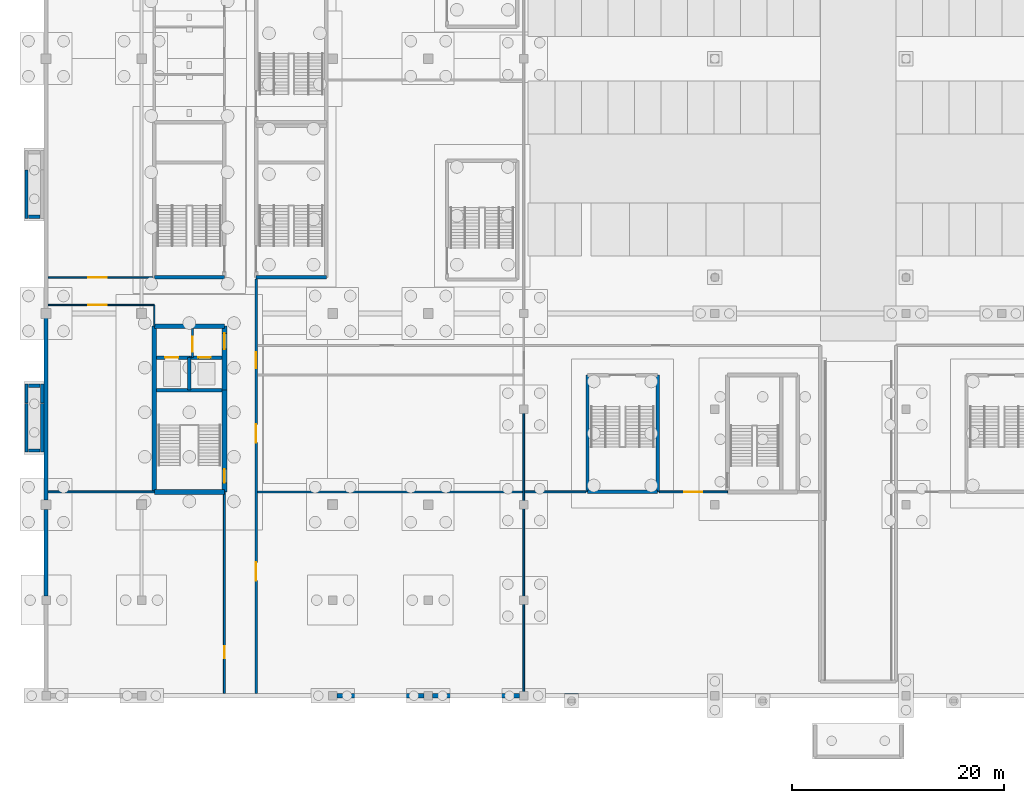
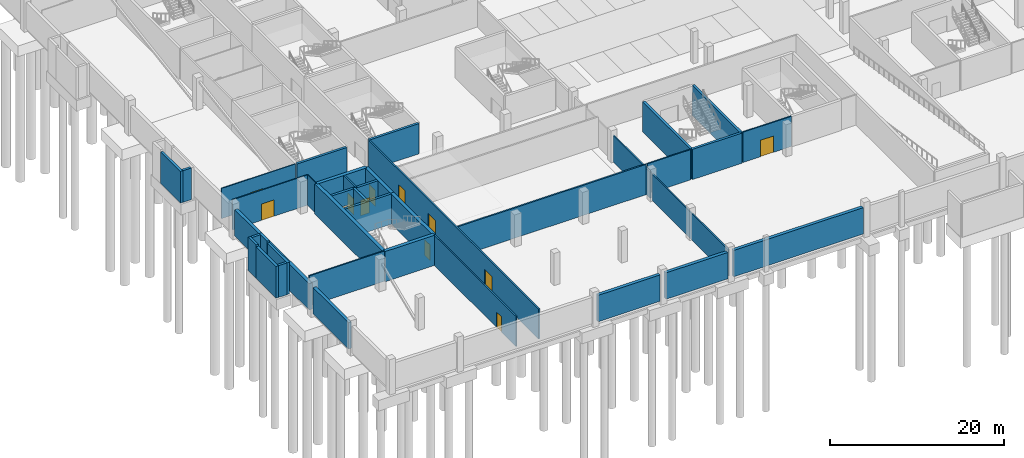
# One storey, part 14 of 46: 39 walls, 12 doors, 12 openings.
"""IFC4 building model written with IfcOpenShell, lengths in metres."""

import ifcopenshell
import ifcopenshell.guid

model = None  # the IFC model being written
_history = None  # IfcOwnerHistory: only IFC2X3 demands one
_inside = {}  # id of a spatial element -> (the spatial element, [elements in it])
_under = {}  # id of a project, library or spatial element -> (it, [spatial elements below it])
_declared = {}  # id of a project -> (the project, [libraries it declares])
_typed = {}  # id of a type object -> (the type object, [elements of that type])
_made_of = {}  # id of a material, layer set ... -> (it, [elements and type objects made of it])


def new_model(schema):
    """Start an empty IFC model of exactly this schema.

    Asked for "IFC4X3", IfcOpenShell would pick the latest addendum, in which some entities
    have other attributes; the version numbers below select the first issue.
    IFC2X3 requires an IfcOwnerHistory on every rooted entity: one is made here for all.
    """
    global model, _history
    if schema == "IFC4X3":
        model = ifcopenshell.file(schema_version=(4, 3, 0, 0))
    else:
        model = ifcopenshell.file(schema=schema)
    _inside.clear()
    _under.clear()
    _declared.clear()
    _typed.clear()
    _made_of.clear()
    _history = None
    if model.schema == "IFC2X3":
        org = make("IfcOrganization", Name="unknown")
        user = make(
            "IfcPersonAndOrganization",
            ThePerson=make("IfcPerson", FamilyName="unknown"),
            TheOrganization=org,
        )
        app = make(
            "IfcApplication",
            ApplicationDeveloper=org,
            Version="unknown",
            ApplicationFullName="unknown",
            ApplicationIdentifier="unknown",
        )
        _history = make(
            "IfcOwnerHistory",
            OwningUser=user,
            OwningApplication=app,
            ChangeAction="ADDED",
            CreationDate=0,
        )
    return model


def make(cls, **values):
    """One entity of the class cls with the attributes given. An attribute that is None is left unset."""
    return model.create_entity(
        cls, **{name: value for name, value in values.items() if value is not None}
    )


def rooted(cls, **values):
    """An entity with a GlobalId (a new one), such as an element, a storey or a relation."""
    return make(cls, GlobalId=ifcopenshell.guid.new(), OwnerHistory=_history, **values)


def si_unit(unit_type, name, prefix=None):
    """IfcSIUnit, for example si_unit("LENGTHUNIT", "METRE", prefix="MILLI")."""
    return make("IfcSIUnit", UnitType=unit_type, Prefix=prefix, Name=name)


def assignment(units):
    """IfcUnitAssignment: the units of a project."""
    return None if units is None else make("IfcUnitAssignment", Units=units)


def point(xyz):
    """IfcCartesianPoint."""
    return None if xyz is None else make("IfcCartesianPoint", Coordinates=xyz)


def direction(xyz):
    """IfcDirection."""
    return None if xyz is None else make("IfcDirection", DirectionRatios=xyz)


def frame(location, z_axis=None, x_axis=None):
    """IfcAxis2Placement3D, a coordinate frame: its origin and axes. An axis left out is left unset."""
    return make(
        "IfcAxis2Placement3D",
        Location=point(location),
        Axis=direction(z_axis),
        RefDirection=direction(x_axis),
    )


def frame_2d(location, x_axis=None):
    """IfcAxis2Placement2D, a coordinate frame in the plane: its origin and x axis."""
    return make(
        "IfcAxis2Placement2D", Location=point(location), RefDirection=direction(x_axis)
    )


def origin():
    """The frame at (0, 0, 0) with its axes left unset."""
    return frame((0.0, 0.0, 0.0))


def place(relative_to, where):
    """IfcLocalPlacement: puts the frame where relative to a parent placement (None: the world)."""
    return make(
        "IfcLocalPlacement", PlacementRelTo=relative_to, RelativePlacement=where
    )


def context(
    kind, dimensions, precision=None, world=None, true_north=None, identifier=None
):
    """IfcGeometricRepresentationContext, for example the 3D "Model" context."""
    return make(
        "IfcGeometricRepresentationContext",
        ContextIdentifier=identifier,
        ContextType=kind,
        CoordinateSpaceDimension=dimensions,
        Precision=precision,
        WorldCoordinateSystem=world,
        TrueNorth=true_north,
    )


def subcontext(parent, identifier, kind, view, scale=None):
    """IfcGeometricRepresentationSubContext, for example "Body" below "Model"."""
    return make(
        "IfcGeometricRepresentationSubContext",
        ContextIdentifier=identifier,
        ContextType=kind,
        ParentContext=parent,
        TargetScale=scale,
        TargetView=view,
    )


def project(units=None, contexts=None):
    """IfcProject with its units and contexts."""
    return rooted(
        "IfcProject",
        Name="project",
        RepresentationContexts=contexts,
        UnitsInContext=assignment(units),
    )


def spatial(cls, under=None, at=None, **own):
    """A site, building, storey or space (cls), placed at a placement, below another one or the project."""
    s = rooted(cls, ObjectPlacement=at, **own)
    if under is not None:
        _under.setdefault(under.id(), (under, []))[1].append(s)
    return s


def profile(cls, at=None, kind="AREA", **sizes):
    """A parametric profile (cls). Its sizes go by their IFC names, for example OverallWidth=200.0."""
    return make(cls, ProfileType=kind, Position=at, **sizes)


def rectangle(**sizes):
    """IfcRectangleProfileDef."""
    return profile("IfcRectangleProfileDef", **sizes)


def extrude(swept, where, along, depth):
    """IfcExtrudedAreaSolid: the profile swept, set in the frame where, extruded along a direction by depth."""
    return make(
        "IfcExtrudedAreaSolid",
        SweptArea=swept,
        Position=where,
        ExtrudedDirection=direction(along),
        Depth=depth,
    )


def shape(context_of_items, identifier, shape_type, items):
    """IfcShapeRepresentation: the items that make up one representation, for example the "Body"."""
    return make(
        "IfcShapeRepresentation",
        ContextOfItems=context_of_items,
        RepresentationIdentifier=identifier,
        RepresentationType=shape_type,
        Items=items,
    )


def material(Name=None, Category=None):
    """IfcMaterial."""
    return make("IfcMaterial", Name=Name, Category=Category)


def layer(
    of_material, thickness, ventilated=None, Name=None, Category=None, Priority=None
):
    """IfcMaterialLayer: one layer of a wall or slab, of a material (None: an air gap)."""
    return make(
        "IfcMaterialLayer",
        Material=of_material,
        LayerThickness=thickness,
        IsVentilated=ventilated,
        Name=Name,
        Category=Category,
        Priority=Priority,
    )


def layer_set(layers, Name=None):
    """IfcMaterialLayerSet."""
    return make("IfcMaterialLayerSet", MaterialLayers=layers, LayerSetName=Name)


def made_of(thing, what):
    """Note that an element or type object is made of a material, layer set ...; save() writes the relation."""
    if what is not None:
        _made_of.setdefault(what.id(), (what, []))[1].append(thing)
    return thing


def type_object(cls, material=None, **own):
    """A type object (cls), such as IfcWallType, which elements share."""
    return made_of(rooted(cls, **own), material)


def element(
    cls,
    number,
    at=None,
    inside=None,
    cuts=None,
    type_object=None,
    material=None,
    context=None,
    identifier="Body",
    shape_type=None,
    held_by="IfcProductDefinitionShape",
    body=None,
    shapes=None,
    **own,
):
    """One element of the class cls, such as IfcWall. Its Tag is "e" and its number.

    at: its placement. inside: the storey or other place that contains it. cuts: it is an
    opening in that element (IfcRelVoidsElement). A single representation is given by context,
    identifier, shape_type and body (its items); several are given by shapes. held_by: the class
    of the entity that holds the representations. save() writes the other relations.
    """
    e = rooted(cls, Tag="e%d" % number, ObjectPlacement=at, **own)
    if body is not None:
        shapes = [shape(context, identifier, shape_type, body)]
    if shapes is not None:
        e.Representation = make(held_by, Representations=shapes)
    if inside is not None:
        _inside.setdefault(inside.id(), (inside, []))[1].append(e)
    if cuts is not None:
        rooted(
            "IfcRelVoidsElement", RelatingBuildingElement=cuts, RelatedOpeningElement=e
        )
    if type_object is not None:
        _typed.setdefault(type_object.id(), (type_object, []))[1].append(e)
    return made_of(e, material)


def fill(opening, filler):
    """IfcRelFillsElement: the door or window that sits in an opening."""
    return rooted(
        "IfcRelFillsElement",
        RelatingOpeningElement=opening,
        RelatedBuildingElement=filler,
    )


def aggregate(whole, parts):
    """IfcRelAggregates: a whole, such as a stair, and the parts it consists of."""
    return rooted("IfcRelAggregates", RelatingObject=whole, RelatedObjects=parts)


def save(model, path):
    """Write the relations noted so far, then the file.

    IfcRelAggregates (storeys below a building ...), IfcRelContainedInSpatialStructure (elements
    in a storey), IfcRelDefinesByType, IfcRelAssociatesMaterial and IfcRelDeclares: one each for
    every whole, place, type object, material and project.
    """
    for whole, parts in _under.values():
        aggregate(whole, parts)
    for where, things in _inside.values():
        rooted(
            "IfcRelContainedInSpatialStructure",
            RelatedElements=things,
            RelatingStructure=where,
        )
    for kind, things in _typed.values():
        rooted("IfcRelDefinesByType", RelatedObjects=things, RelatingType=kind)
    for what, things in _made_of.values():
        rooted("IfcRelAssociatesMaterial", RelatedObjects=things, RelatingMaterial=what)
    for by, libraries in _declared.values():
        rooted("IfcRelDeclares", RelatingContext=by, RelatedDefinitions=libraries)
    model.write(path)


model = new_model("IFC4")

# Units and contexts
model_context = context("Model", 3, precision=1e-05, world=origin(), true_north=direction((0.0, 1.0)))
body_context = subcontext(model_context, "Body", "Model", "MODEL_VIEW")
ifc_project = project(units=[si_unit("LENGTHUNIT", "METRE"), si_unit("AREAUNIT", "SQUARE_METRE"), si_unit("VOLUMEUNIT", "CUBIC_METRE"), si_unit("PLANEANGLEUNIT", "RADIAN"), si_unit("MASSUNIT", "GRAM", prefix="KILO")], contexts=[model_context])

# Site, building, storey
site_placement = place(None, origin())
site = spatial("IfcSite", under=ifc_project, at=site_placement, CompositionType="ELEMENT")
building_placement = place(site_placement, origin())
building = spatial("IfcBuilding", under=site, at=building_placement, Name="Kisiwana Market Hall", CompositionType="ELEMENT")
storey_placement = place(building_placement, frame((0.0, 0.0, -4.5)))
storey = spatial("IfcBuildingStorey", under=building, at=storey_placement, Name="B1", CompositionType="ELEMENT", Elevation=-4.5)

# Walls
ifc_material_1 = material(Name="Concrete C40/50", Category="concrete")
ifc_layer_1 = layer(ifc_material_1, 0.360107421875, Name="Waterproofed RC retaining wall")
ifc_material_2 = material(Name="Mineral wool insulation")
ifc_layer_2 = layer(ifc_material_2, 0.06005859375, Name="XPS drainage protection board")
ifc_layer_set_1 = layer_set([ifc_layer_1, ifc_layer_2], Name="WL-B1-RET-420")
wall_type_1 = type_object("IfcWallType", Name="WL-B1-RET-420", PredefinedType="STANDARD", material=ifc_layer_set_1)
for number, where, z_axis, x_axis, name in (
    (1, (27.39208984375, 0.0, 0.0), (0.0, 0.0, 1.0), (1.0, 0.0, 0.0), "Exterior wall W-0157"),
    (2, (36.39208984375, 0.0, 0.0), (0.0, 0.0, 1.0), (1.0, 0.0, 0.0), "Exterior wall W-0158"),
):
    element("IfcWall", number, at=place(storey_placement, frame(where, z_axis=z_axis, x_axis=x_axis)), inside=storey, type_object=wall_type_1, Name=name, PredefinedType="STANDARD", context=body_context, shape_type="SweptSolid", body=[
        extrude(rectangle(XDim=8.2158203125, YDim=0.419921875, at=frame_2d((4.10791015625, 0.0))), origin(), (0.0, 0.0, 1.0), 3.699951171875),
    ])
wall_1_placement = place(storey_placement, frame((45.39208984375, 0.0, 0.0), z_axis=(0.0, 0.0, 1.0), x_axis=(1.0, 0.0, 0.0)))
element("IfcWall", 3, at=wall_1_placement, inside=storey, type_object=wall_type_1, Name="Exterior wall W-0159", PredefinedType="STANDARD", context=body_context, shape_type="SweptSolid", body=[
    extrude(rectangle(XDim=17.2158203125, YDim=0.419921875, at=frame_2d((8.60791015625, 0.0))), origin(), (0.0, 0.0, 1.0), 3.699951171875),
])
wall_2_placement = place(storey_placement, frame((0.0, 9.39208984375, 0.0), z_axis=(0.0, 0.0, 1.0), x_axis=(0.0, 1.0, 0.0)))
element("IfcWall", 4, at=wall_2_placement, inside=storey, type_object=wall_type_1, Name="Exterior wall W-0184", PredefinedType="STANDARD", context=body_context, shape_type="SweptSolid", body=[
    extrude(rectangle(XDim=8.166015625, YDim=0.419921875, at=frame_2d((4.0830078125, 0.0))), origin(), (0.0, 0.0, 1.0), 3.699951171875),
])
wall_3_placement = place(storey_placement, frame((0.0, 18.44189453125, 0.0), z_axis=(0.0, 0.0, 1.0), x_axis=(0.0, 1.0, 0.0)))
element("IfcWall", 5, at=wall_3_placement, inside=storey, type_object=wall_type_1, Name="Exterior wall W-0185", PredefinedType="STANDARD", context=body_context, shape_type="SweptSolid", body=[
    extrude(rectangle(XDim=17.1162109375, YDim=0.419921875, at=frame_2d((8.55810546875, 0.0))), origin(), (0.0, 0.0, 1.0), 3.699951171875),
])

# Wall, opening, door
ifc_material_3 = material(Name="Masonry blockwork", Category="masonry")
ifc_layer_3 = layer(ifc_material_3, 0.199951171875, Name="Plastered fire compartment block wall")
ifc_layer_set_2 = layer_set([ifc_layer_3], Name="WL-COMP-200")
wall_type_2 = type_object("IfcWallType", Name="WL-COMP-200", PredefinedType="PARTITIONING", material=ifc_layer_set_2)
wall_4_placement = place(storey_placement, frame((13.800048828125, 31.844970703125, 0.0), z_axis=(0.0, 0.0, 1.0), x_axis=(0.0, 1.0, 0.0)))
wall_4 = element("IfcWall", 6, at=wall_4_placement, inside=storey, type_object=wall_type_2, Name="Core W2 firefighting lobby wall W-0201", PredefinedType="PARTITIONING", context=body_context, shape_type="SweptSolid", body=[
    extrude(rectangle(XDim=2.72998046875, YDim=0.199951171875, at=frame_2d((1.364990234375, 0.0))), origin(), (0.0, 0.0, 1.0), 4.239990234375),
])
opening_1_placement = place(wall_4_placement, frame((0.550048828125, 0.0, 0.0)))
opening_1 = element("IfcOpeningElement", 7, at=opening_1_placement, cuts=wall_4, Name="Opening DR-B1-003", PredefinedType="OPENING", context=body_context, shape_type="SweptSolid", body=[
    extrude(rectangle(XDim=1.39990234375, YDim=2.25, at=frame_2d((0.699951171875, 1.125))), frame((0.0, 0.11181640625, 0.0), z_axis=(0.0, -1.0, 0.0), x_axis=(1.0, 0.0, 0.0)), (0.0, 0.0, 1.0), 0.223876953125),
])
ifc_material_4 = material(Name="Steel S275", Category="steel")
door_type_1 = type_object("IfcDoorType", Name="DR-FFLOB-FD120-1400", OperationType="DOUBLE_DOOR_SINGLE_SWING", PredefinedType="DOOR", material=ifc_material_4)
door_1_placement = place(opening_1_placement, frame((1.39990234375, 0.0, 0.0), z_axis=(0.0, 0.0, 1.0), x_axis=(-1.0, 0.0, 0.0)))
door_1 = element("IfcDoor", 8, at=door_1_placement, inside=storey, type_object=door_type_1, Name="Firefighting Lift Lobby W2 Door (B1)", OperationType="DOUBLE_DOOR_SINGLE_SWING", OverallHeight=2.25, OverallWidth=1.39990234375, PredefinedType="DOOR", context=body_context, shape_type="SweptSolid", body=[
    extrude(rectangle(XDim=1.39990234375, YDim=2.25, at=frame_2d((0.699951171875, 1.125))), frame((0.0, 0.02490234375, 0.0), z_axis=(0.0, -1.0, 0.0), x_axis=(1.0, 0.0, 0.0)), (0.0, 0.0, 1.0), 0.050048828125),
])
fill(opening_1, door_1)

# Wall
wall_5_placement = place(storey_placement, frame((19.89990234375, 19.199951171875, 0.0), z_axis=(0.0, 0.0, 1.0), x_axis=(1.0, 0.0, 0.0)))
element("IfcWall", 9, at=wall_5_placement, inside=storey, type_object=wall_type_2, Name="Interior partition W-0219", PredefinedType="PARTITIONING", context=body_context, shape_type="SweptSolid", body=[
    extrude(rectangle(XDim=25.01513671875, YDim=0.199951171875, at=frame_2d((12.507568359375, 0.0))), origin(), (0.0, 0.0, 1.0), 4.239990234375),
])

# Wall, openings, doors
wall_6_placement = place(storey_placement, frame((19.800048828125, 0.2099609375, 0.0), z_axis=(0.0, 0.0, 1.0), x_axis=(0.0, 1.0, 0.0)))
wall_6 = element("IfcWall", 10, at=wall_6_placement, inside=storey, type_object=wall_type_2, Name="Interior partition W-0226", PredefinedType="PARTITIONING", context=body_context, shape_type="SweptSolid", body=[
    extrude(rectangle(XDim=39.030029296875, YDim=0.199951171875, at=frame_2d((19.51513671875, 0.0))), origin(), (0.0, 0.0, 1.0), 4.239990234375),
])
opening_2_placement = place(wall_6_placement, frame((10.639892578125, 0.0, 0.0)))
opening_2 = element("IfcOpeningElement", 11, at=opening_2_placement, cuts=wall_6, Name="Opening DR-B1-050", PredefinedType="OPENING", context=body_context, shape_type="SweptSolid", body=[
    extrude(rectangle(XDim=1.699951171875, YDim=2.300048828125, at=frame_2d((0.85009765625, 1.14990234375))), frame((0.0, 0.11181640625, 0.0), z_axis=(0.0, -1.0, 0.0), x_axis=(1.0, 0.0, 0.0)), (0.0, 0.0, 1.0), 0.223876953125),
])
opening_3_placement = place(wall_6_placement, frame((23.639892578125, 0.0, 0.0)))
opening_3 = element("IfcOpeningElement", 12, at=opening_3_placement, cuts=wall_6, Name="Opening DR-B1-051", PredefinedType="OPENING", context=body_context, shape_type="SweptSolid", body=[
    extrude(rectangle(XDim=1.699951171875, YDim=2.300048828125, at=frame_2d((0.85009765625, 1.14990234375))), frame((0.0, 0.11181640625, 0.0), z_axis=(0.0, -1.0, 0.0), x_axis=(1.0, 0.0, 0.0)), (0.0, 0.0, 1.0), 0.223876953125),
])
opening_4_placement = place(wall_6_placement, frame((30.639892578125, 0.0, 0.0)))
opening_4 = element("IfcOpeningElement", 13, at=opening_4_placement, cuts=wall_6, Name="Opening DR-B1-052", PredefinedType="OPENING", context=body_context, shape_type="SweptSolid", body=[
    extrude(rectangle(XDim=1.5, YDim=2.199951171875, at=frame_2d((0.75, 1.10009765625))), frame((0.0, 0.11181640625, 0.0), z_axis=(0.0, -1.0, 0.0), x_axis=(1.0, 0.0, 0.0)), (0.0, 0.0, 1.0), 0.223876953125),
])
ifc_material_5 = material(Name="Steel S275", Category="steel")
door_type_2 = type_object("IfcDoorType", Name="DR-CORR-FD60-1500", OperationType="DOUBLE_DOOR_SINGLE_SWING", PredefinedType="DOOR", material=ifc_material_5)
door_2_placement = place(opening_4_placement, origin())
door_2 = element("IfcDoor", 14, at=door_2_placement, inside=storey, type_object=door_type_2, Name="B1 W South Concourse Link Corridor Door", OperationType="DOUBLE_DOOR_SINGLE_SWING", OverallHeight=2.199951171875, OverallWidth=1.5, PredefinedType="DOOR", context=body_context, shape_type="SweptSolid", body=[
    extrude(rectangle(XDim=1.5, YDim=2.199951171875, at=frame_2d((0.75, 1.10009765625))), frame((0.0, 0.02490234375, 0.0), z_axis=(0.0, -1.0, 0.0), x_axis=(1.0, 0.0, 0.0)), (0.0, 0.0, 1.0), 0.050048828125),
])
fill(opening_4, door_2)
ifc_material_6 = material(Name="Aluminium alloy 6063-T6", Category="aluminium")
door_type_3 = type_object("IfcDoorType", Name="DR-SHOP-1700", OperationType="DOUBLE_DOOR_SINGLE_SWING", PredefinedType="DOOR", material=ifc_material_6)
door_3_placement = place(opening_2_placement, frame((1.699951171875, 0.0, 0.0), z_axis=(0.0, 0.0, 1.0), x_axis=(-1.0, 0.0, 0.0)))
door_3 = element("IfcDoor", 15, at=door_3_placement, inside=storey, type_object=door_type_3, Name="B1 W Lower Ground Shop A Door", OperationType="DOUBLE_DOOR_SINGLE_SWING", OverallHeight=2.300048828125, OverallWidth=1.699951171875, PredefinedType="DOOR", context=body_context, shape_type="SweptSolid", body=[
    extrude(rectangle(XDim=1.699951171875, YDim=2.300048828125, at=frame_2d((0.85009765625, 1.14990234375))), frame((0.0, 0.02490234375, 0.0), z_axis=(0.0, -1.0, 0.0), x_axis=(1.0, 0.0, 0.0)), (0.0, 0.0, 1.0), 0.050048828125),
])
fill(opening_2, door_3)
door_4_placement = place(opening_3_placement, frame((1.699951171875, 0.0, 0.0), z_axis=(0.0, 0.0, 1.0), x_axis=(-1.0, 0.0, 0.0)))
door_4 = element("IfcDoor", 16, at=door_4_placement, inside=storey, type_object=door_type_3, Name="B1 W Lower Ground Shop B Door", OperationType="DOUBLE_DOOR_SINGLE_SWING", OverallHeight=2.300048828125, OverallWidth=1.699951171875, PredefinedType="DOOR", context=body_context, shape_type="SweptSolid", body=[
    extrude(rectangle(XDim=1.699951171875, YDim=2.300048828125, at=frame_2d((0.85009765625, 1.14990234375))), frame((0.0, 0.02490234375, 0.0), z_axis=(0.0, -1.0, 0.0), x_axis=(1.0, 0.0, 0.0)), (0.0, 0.0, 1.0), 0.050048828125),
])
fill(opening_3, door_4)

# Walls
ifc_material_7 = material(Name="Concrete C40/50", Category="concrete")
ifc_layer_4 = layer(ifc_material_7, 0.320068359375, Name="Reinforced concrete shaft wall")
ifc_layer_set_3 = layer_set([ifc_layer_4], Name="WL-CORE-320")
wall_type_3 = type_object("IfcWallType", Name="WL-CORE-320", PredefinedType="SHEAR", material=ifc_layer_set_3)
for number, where, z_axis, x_axis, name in (
    (17, (-1.840087890625, 22.949951171875, -0.449951171875), (0.0, 0.0, 1.0), (0.0, 1.0, 0.0), "Ramp support plinth wall 01-L W-0296"),
    (18, (-0.360107421875, 22.949951171875, -0.449951171875), (0.0, 0.0, 1.0), (0.0, 1.0, 0.0), "Ramp support plinth wall 01-R W-0298"),
):
    element("IfcWall", number, at=place(storey_placement, frame(where, z_axis=z_axis, x_axis=x_axis)), inside=storey, type_object=wall_type_3, Name=name, PredefinedType="SHEAR", context=body_context, shape_type="SweptSolid", body=[
        extrude(rectangle(XDim=4.550048828125, YDim=0.320068359375, at=frame_2d((2.27490234375, 0.0))), origin(), (0.0, 0.0, 1.0), 4.449951171875),
    ])
for number, where, z_axis, x_axis, name in (
    (19, (-1.840087890625, 27.550048828125, -0.449951171875), (0.0, 0.0, 1.0), (0.0, 1.0, 0.0), "Ramp support plinth wall 01-UL W-0300"),
    (20, (-0.360107421875, 27.550048828125, -0.449951171875), (0.0, 0.0, 1.0), (0.0, 1.0, 0.0), "Ramp support plinth wall 01-UR W-0301"),
):
    element("IfcWall", number, at=place(storey_placement, frame(where, z_axis=z_axis, x_axis=x_axis)), inside=storey, type_object=wall_type_3, Name=name, PredefinedType="SHEAR", context=body_context, shape_type="SweptSolid", body=[
        extrude(rectangle(XDim=1.800048828125, YDim=0.320068359375, at=frame_2d((0.89990234375, 0.0))), origin(), (0.0, 0.0, 1.0), 4.699951171875),
    ])
wall_7_placement = place(storey_placement, frame((-1.64990234375, 29.199951171875, -0.449951171875), z_axis=(0.0, 0.0, 1.0), x_axis=(1.0, 0.0, 0.0)))
element("IfcWall", 21, at=wall_7_placement, inside=storey, type_object=wall_type_3, Name="Ramp support plinth wall 01-UC W-0299", PredefinedType="SHEAR", context=body_context, shape_type="SweptSolid", body=[
    extrude(rectangle(XDim=1.099853515625, YDim=0.320068359375, at=frame_2d((0.5498046875, 0.0))), origin(), (0.0, 0.0, 1.0), 4.699951171875),
])
wall_8_placement = place(storey_placement, frame((-1.64990234375, 23.10009765625, -0.449951171875), z_axis=(0.0, 0.0, 1.0), x_axis=(1.0, 0.0, 0.0)))
element("IfcWall", 22, at=wall_8_placement, inside=storey, type_object=wall_type_3, Name="Ramp support plinth wall 01-LC W-0297", PredefinedType="SHEAR", context=body_context, shape_type="SweptSolid", body=[
    extrude(rectangle(XDim=1.099853515625, YDim=0.320068359375, at=frame_2d((0.5498046875, 0.0))), origin(), (0.0, 0.0, 1.0), 4.449951171875),
])
wall_9_placement = place(storey_placement, frame((-1.840087890625, 44.949951171875, -0.449951171875), z_axis=(0.0, 0.0, 1.0), x_axis=(0.0, 1.0, 0.0)))
element("IfcWall", 23, at=wall_9_placement, inside=storey, type_object=wall_type_3, Name="Ramp support plinth wall 02-L W-0302", PredefinedType="SHEAR", context=body_context, shape_type="SweptSolid", body=[
    extrude(rectangle(XDim=4.550048828125, YDim=0.320068359375, at=frame_2d((2.27490234375, 0.0))), origin(), (0.0, 0.0, 1.0), 4.449951171875),
])
wall_10_placement = place(storey_placement, frame((-1.64990234375, 45.10009765625, -0.449951171875), z_axis=(0.0, 0.0, 1.0), x_axis=(1.0, 0.0, 0.0)))
element("IfcWall", 24, at=wall_10_placement, inside=storey, type_object=wall_type_3, Name="Ramp support plinth wall 02-LC W-0303", PredefinedType="SHEAR", context=body_context, shape_type="SweptSolid", body=[
    extrude(rectangle(XDim=1.099853515625, YDim=0.320068359375, at=frame_2d((0.5498046875, 0.0))), origin(), (0.0, 0.0, 1.0), 4.449951171875),
])
wall_11_placement = place(storey_placement, frame((10.425048828125, 28.784912109375, 0.0), z_axis=(0.0, 0.0, 1.0), x_axis=(1.0, 0.0, 0.0)))
element("IfcWall", 25, at=wall_11_placement, inside=storey, type_object=wall_type_3, Name="Core W2 shaft back shear wall W-0006", PredefinedType="SHEAR", context=body_context, shape_type="SweptSolid", body=[
    extrude(rectangle(XDim=6.14990234375, YDim=0.320068359375, at=frame_2d((3.074951171875, 0.0))), origin(), (0.0, 0.0, 1.0), 4.239990234375),
])
wall_12_placement = place(storey_placement, frame((13.5, 28.784912109375, 0.0), z_axis=(0.0, 0.0, 1.0), x_axis=(0.0, 1.0, 0.0)))
element("IfcWall", 26, at=wall_12_placement, inside=storey, type_object=wall_type_3, Name="Core W2 inter-shaft shear wall W-0007", PredefinedType="SHEAR", context=body_context, shape_type="SweptSolid", body=[
    extrude(rectangle(XDim=3.06005859375, YDim=0.320068359375, at=frame_2d((1.530029296875, 0.0))), origin(), (0.0, 0.0, 1.0), 4.239990234375),
])

# Wall, opening, door
wall_13_placement = place(storey_placement, frame((10.425048828125, 31.844970703125, 0.0), z_axis=(0.0, 0.0, 1.0), x_axis=(1.0, 0.0, 0.0)))
wall_13 = element("IfcWall", 27, at=wall_13_placement, inside=storey, type_object=wall_type_3, Name="Core W2 west lift front wall W-0008", PredefinedType="SHEAR", context=body_context, shape_type="SweptSolid", body=[
    extrude(rectangle(XDim=3.074951171875, YDim=0.320068359375, at=frame_2d((1.53759765625, 0.0))), origin(), (0.0, 0.0, 1.0), 4.239990234375),
])
opening_5_placement = place(wall_13_placement, frame((0.800048828125, 0.0, 0.0)))
opening_5 = element("IfcOpeningElement", 28, at=opening_5_placement, cuts=wall_13, Name="Opening LD-B1-001", PredefinedType="OPENING", context=body_context, shape_type="SweptSolid", body=[
    extrude(rectangle(XDim=1.25, YDim=2.25, at=frame_2d((0.625, 1.125))), frame((0.0, 0.171875, 0.0), z_axis=(0.0, -1.0, 0.0), x_axis=(1.0, 0.0, 0.0)), (0.0, 0.0, 1.0), 0.343994140625),
])
ifc_material_8 = material(Name="Steel S275", Category="steel")
door_type_4 = type_object("IfcDoorType", Name="DR-LIFT-FFL-1250", OperationType="DOUBLE_DOOR_SLIDING", PredefinedType="DOOR", material=ifc_material_8)
door_5_placement = place(opening_5_placement, origin())
door_5 = element("IfcDoor", 29, at=door_5_placement, inside=storey, type_object=door_type_4, Name="Lift Landing Door FFL-01 (B1)", OperationType="DOUBLE_DOOR_SLIDING", OverallHeight=2.25, OverallWidth=1.25, PredefinedType="DOOR", context=body_context, shape_type="SweptSolid", body=[
    extrude(rectangle(XDim=1.25, YDim=2.25, at=frame_2d((0.625, 1.125))), frame((0.0, 0.02490234375, 0.0), z_axis=(0.0, -1.0, 0.0), x_axis=(1.0, 0.0, 0.0)), (0.0, 0.0, 1.0), 0.050048828125),
])
fill(opening_5, door_5)

wall_14_placement = place(storey_placement, frame((13.5, 31.844970703125, 0.0), z_axis=(0.0, 0.0, 1.0), x_axis=(1.0, 0.0, 0.0)))
wall_14 = element("IfcWall", 30, at=wall_14_placement, inside=storey, type_object=wall_type_3, Name="Core W2 east lift front wall W-0009", PredefinedType="SHEAR", context=body_context, shape_type="SweptSolid", body=[
    extrude(rectangle(XDim=3.074951171875, YDim=0.320068359375, at=frame_2d((1.53759765625, 0.0))), origin(), (0.0, 0.0, 1.0), 4.239990234375),
])
opening_6_placement = place(wall_14_placement, frame((0.85009765625, 0.0, 0.0)))
opening_6 = element("IfcOpeningElement", 31, at=opening_6_placement, cuts=wall_14, Name="Opening LD-B1-002", PredefinedType="OPENING", context=body_context, shape_type="SweptSolid", body=[
    extrude(rectangle(XDim=1.14990234375, YDim=2.199951171875, at=frame_2d((0.574951171875, 1.10009765625))), frame((0.0, 0.171875, 0.0), z_axis=(0.0, -1.0, 0.0), x_axis=(1.0, 0.0, 0.0)), (0.0, 0.0, 1.0), 0.343994140625),
])
ifc_material_9 = material(Name="Steel S275", Category="steel")
door_type_5 = type_object("IfcDoorType", Name="DR-LIFT-PAX-1150", OperationType="DOUBLE_DOOR_SLIDING", PredefinedType="DOOR", material=ifc_material_9)
door_6_placement = place(opening_6_placement, origin())
door_6 = element("IfcDoor", 32, at=door_6_placement, inside=storey, type_object=door_type_5, Name="Lift Landing Door LP-01 (B1)", OperationType="DOUBLE_DOOR_SLIDING", OverallHeight=2.199951171875, OverallWidth=1.14990234375, PredefinedType="DOOR", context=body_context, shape_type="SweptSolid", body=[
    extrude(rectangle(XDim=1.14990234375, YDim=2.199951171875, at=frame_2d((0.574951171875, 1.10009765625))), frame((0.0, 0.02490234375, 0.0), z_axis=(0.0, -1.0, 0.0), x_axis=(1.0, 0.0, 0.0)), (0.0, 0.0, 1.0), 0.050048828125),
])
fill(opening_6, door_6)

# Walls
wall_15_placement = place(storey_placement, frame((10.199951171875, 39.39990234375, 0.0), z_axis=(0.0, 0.0, 1.0), x_axis=(1.0, 0.0, 0.0)))
element("IfcWall", 33, at=wall_15_placement, inside=storey, type_object=wall_type_3, Name="Core W3 south shear wall W-0059", PredefinedType="SHEAR", context=body_context, shape_type="SweptSolid", body=[
    extrude(rectangle(XDim=6.60009765625, YDim=0.320068359375, at=frame_2d((3.300048828125, 0.0))), origin(), (0.0, 0.0, 1.0), 4.239990234375),
])
wall_16_placement = place(storey_placement, frame((19.800048828125, 39.39990234375, 0.0), z_axis=(0.0, 0.0, 1.0), x_axis=(1.0, 0.0, 0.0)))
element("IfcWall", 34, at=wall_16_placement, inside=storey, type_object=wall_type_3, Name="Core W7 south shear wall W-0079", PredefinedType="SHEAR", context=body_context, shape_type="SweptSolid", body=[
    extrude(rectangle(XDim=6.599853515625, YDim=0.320068359375, at=frame_2d((3.2998046875, 0.0))), origin(), (0.0, 0.0, 1.0), 4.239990234375),
])
wall_17_placement = place(storey_placement, frame((51.0, 19.199951171875, 0.0), z_axis=(0.0, 0.0, 1.0), x_axis=(1.0, 0.0, 0.0)))
element("IfcWall", 35, at=wall_17_placement, inside=storey, type_object=wall_type_3, Name="Core S3 outer shear wall W-0123", PredefinedType="SHEAR", context=body_context, shape_type="SweptSolid", body=[
    extrude(rectangle(XDim=6.60009765625, YDim=0.320068359375, at=frame_2d((3.300048828125, 0.0))), origin(), (0.0, 0.0, 1.0), 4.239990234375),
])
for number, where, z_axis, x_axis, name in (
    (36, (51.0, 19.199951171875, 0.0), (0.0, 0.0, 1.0), (0.0, 1.0, 0.0), "Core S3 west shear wall W-0125"),
    (37, (57.60009765625, 19.199951171875, 0.0), (0.0, 0.0, 1.0), (0.0, 1.0, 0.0), "Core S3 east shear wall W-0126"),
):
    element("IfcWall", number, at=place(storey_placement, frame(where, z_axis=z_axis, x_axis=x_axis)), inside=storey, type_object=wall_type_3, Name=name, PredefinedType="SHEAR", context=body_context, shape_type="SweptSolid", body=[
        extrude(rectangle(XDim=11.0, YDim=0.320068359375, at=frame_2d((5.5, 0.0))), origin(), (0.0, 0.0, 1.0), 4.239990234375),
    ])
ifc_material_10 = material(Name="Concrete C40/50", Category="concrete")
ifc_layer_5 = layer(ifc_material_10, 0.449951171875, Name="Reinforced concrete core wall")
ifc_layer_set_4 = layer_set([ifc_layer_5], Name="WL-CORE-450")
wall_type_4 = type_object("IfcWallType", Name="WL-CORE-450", PredefinedType="SHEAR", material=ifc_layer_set_4)
for number, where, z_axis, x_axis, name in (
    (38, (10.199951171875, 19.199951171875, 0.0), (0.0, 0.0, 1.0), (1.0, 0.0, 0.0), "Core W2 south shear wall W-0001"),
    (39, (10.199951171875, 34.800048828125, 0.0), (0.0, 0.0, 1.0), (1.0, 0.0, 0.0), "Core W2 north shear wall W-0002"),
):
    element("IfcWall", number, at=place(storey_placement, frame(where, z_axis=z_axis, x_axis=x_axis)), inside=storey, type_object=wall_type_4, Name=name, PredefinedType="SHEAR", context=body_context, shape_type="SweptSolid", body=[
        extrude(rectangle(XDim=6.60009765625, YDim=0.449951171875, at=frame_2d((3.300048828125, 0.0))), origin(), (0.0, 0.0, 1.0), 4.239990234375),
    ])
wall_18_placement = place(storey_placement, frame((10.199951171875, 19.199951171875, 0.0), z_axis=(0.0, 0.0, 1.0), x_axis=(0.0, 1.0, 0.0)))
element("IfcWall", 40, at=wall_18_placement, inside=storey, type_object=wall_type_4, Name="Core W2 outer shear wall W-0003", PredefinedType="SHEAR", context=body_context, shape_type="SweptSolid", body=[
    extrude(rectangle(XDim=15.60009765625, YDim=0.449951171875, at=frame_2d((7.800048828125, 0.0))), origin(), (0.0, 0.0, 1.0), 4.239990234375),
])

# Wall, opening, door
wall_19_placement = place(storey_placement, frame((16.800048828125, 19.199951171875, 0.0), z_axis=(0.0, 0.0, 1.0), x_axis=(0.0, 1.0, 0.0)))
wall_19 = element("IfcWall", 41, at=wall_19_placement, inside=storey, type_object=wall_type_4, Name="Core W2 stair corridor shear wall W-0004", PredefinedType="SHEAR", context=body_context, shape_type="SweptSolid", body=[
    extrude(rectangle(XDim=9.5849609375, YDim=0.449951171875, at=frame_2d((4.79248046875, 0.0))), origin(), (0.0, 0.0, 1.0), 4.239990234375),
])
opening_7_placement = place(wall_19_placement, frame((0.85009765625, 0.0, 0.0)))
opening_7 = element("IfcOpeningElement", 42, at=opening_7_placement, cuts=wall_19, Name="Opening DR-B1-001", PredefinedType="OPENING", context=body_context, shape_type="SweptSolid", body=[
    extrude(rectangle(XDim=1.300048828125, YDim=2.199951171875, at=frame_2d((0.64990234375, 1.10009765625))), frame((0.0, 0.23681640625, 0.0), z_axis=(0.0, -1.0, 0.0), x_axis=(1.0, 0.0, 0.0)), (0.0, 0.0, 1.0), 0.473876953125),
])
ifc_material_11 = material(Name="Steel S275", Category="steel")
door_type_6 = type_object("IfcDoorType", Name="DR-STAIR-FD120-1300", OperationType="NOTDEFINED", PredefinedType="DOOR", material=ifc_material_11)
door_7_placement = place(opening_7_placement, origin())
door_7 = element("IfcDoor", 43, at=door_7_placement, inside=storey, type_object=door_type_6, Name="Escape Stair W2 Fire Door (B1)", OperationType="SINGLE_SWING_LEFT", OverallHeight=2.199951171875, OverallWidth=1.300048828125, PredefinedType="DOOR", context=body_context, shape_type="SweptSolid", body=[
    extrude(rectangle(XDim=1.300048828125, YDim=2.199951171875, at=frame_2d((0.64990234375, 1.10009765625))), frame((0.0, 0.02490234375, 0.0), z_axis=(0.0, -1.0, 0.0), x_axis=(1.0, 0.0, 0.0)), (0.0, 0.0, 1.0), 0.050048828125),
])
fill(opening_7, door_7)

wall_20_placement = place(storey_placement, frame((16.800048828125, 28.784912109375, 0.0), z_axis=(0.0, 0.0, 1.0), x_axis=(0.0, 1.0, 0.0)))
wall_20 = element("IfcWall", 44, at=wall_20_placement, inside=storey, type_object=wall_type_4, Name="Core W2 lobby corridor shear wall W-0005", PredefinedType="SHEAR", context=body_context, shape_type="SweptSolid", body=[
    extrude(rectangle(XDim=6.01513671875, YDim=0.449951171875, at=frame_2d((3.007568359375, 0.0))), origin(), (0.0, 0.0, 1.0), 4.239990234375),
])
opening_8_placement = place(wall_20_placement, frame((3.85009765625, 0.0, 0.0)))
opening_8 = element("IfcOpeningElement", 45, at=opening_8_placement, cuts=wall_20, Name="Opening DR-B1-002", PredefinedType="OPENING", context=body_context, shape_type="SweptSolid", body=[
    extrude(rectangle(XDim=1.5, YDim=2.199951171875, at=frame_2d((0.75, 1.10009765625))), frame((0.0, 0.23681640625, 0.0), z_axis=(0.0, -1.0, 0.0), x_axis=(1.0, 0.0, 0.0)), (0.0, 0.0, 1.0), 0.473876953125),
])
door_8_placement = place(opening_8_placement, frame((1.5, 0.0, 0.0), z_axis=(0.0, 0.0, 1.0), x_axis=(-1.0, 0.0, 0.0)))
door_8 = element("IfcDoor", 46, at=door_8_placement, inside=storey, type_object=door_type_2, Name="Passenger Lift Lobby W2 Smoke Door (B1)", OperationType="DOUBLE_DOOR_SINGLE_SWING", OverallHeight=2.199951171875, OverallWidth=1.5, PredefinedType="DOOR", context=body_context, shape_type="SweptSolid", body=[
    extrude(rectangle(XDim=1.5, YDim=2.199951171875, at=frame_2d((0.75, 1.10009765625))), frame((0.0, 0.02490234375, 0.0), z_axis=(0.0, -1.0, 0.0), x_axis=(1.0, 0.0, 0.0)), (0.0, 0.0, 1.0), 0.050048828125),
])
fill(opening_8, door_8)

# Wall
ifc_material_12 = material(Name="Masonry blockwork", Category="masonry")
ifc_layer_6 = layer(ifc_material_12, 0.169921875, Name="Protected corridor partition")
ifc_layer_set_5 = layer_set([ifc_layer_6], Name="WL-CORR-170")
wall_type_5 = type_object("IfcWallType", Name="WL-CORR-170", PredefinedType="PARTITIONING", material=ifc_layer_set_5)
wall_21_placement = place(storey_placement, frame((0.2099609375, 19.199951171875, 0.0), z_axis=(0.0, 0.0, 1.0), x_axis=(1.0, 0.0, 0.0)))
element("IfcWall", 47, at=wall_21_placement, inside=storey, type_object=wall_type_5, Name="Interior partition W-0211", PredefinedType="PARTITIONING", context=body_context, shape_type="SweptSolid", body=[
    extrude(rectangle(XDim=9.989990234375, YDim=0.169921875, at=frame_2d((4.9951171875, 0.0))), origin(), (0.0, 0.0, 1.0), 4.239990234375),
])

# Wall, opening, door
wall_22_placement = place(storey_placement, frame((16.800048828125, 0.2099609375, 0.0), z_axis=(0.0, 0.0, 1.0), x_axis=(0.0, 1.0, 0.0)))
wall_22 = element("IfcWall", 48, at=wall_22_placement, inside=storey, type_object=wall_type_5, Name="Interior partition W-0217", PredefinedType="PARTITIONING", context=body_context, shape_type="SweptSolid", body=[
    extrude(rectangle(XDim=18.989990234375, YDim=0.169921875, at=frame_2d((9.4951171875, 0.0))), origin(), (0.0, 0.0, 1.0), 4.239990234375),
])
opening_9_placement = place(wall_22_placement, frame((3.300048828125, 0.0, 0.0)))
opening_9 = element("IfcOpeningElement", 49, at=opening_9_placement, cuts=wall_22, Name="Opening DR-B1-047", PredefinedType="OPENING", context=body_context, shape_type="SweptSolid", body=[
    extrude(rectangle(XDim=1.14990234375, YDim=2.14990234375, at=frame_2d((0.574951171875, 1.074951171875))), frame((0.0, 0.096923828125, 0.0), z_axis=(0.0, -1.0, 0.0), x_axis=(1.0, 0.0, 0.0)), (0.0, 0.0, 1.0), 0.19384765625),
])
ifc_material_13 = material(Name="Aluminium alloy 6063-T6", Category="aluminium")
door_type_7 = type_object("IfcDoorType", Name="DR-MEET-1150", OperationType="NOTDEFINED", PredefinedType="DOOR", material=ifc_material_13)
door_9_placement = place(opening_9_placement, origin())
door_9 = element("IfcDoor", 50, at=door_9_placement, inside=storey, type_object=door_type_7, Name="B1 W Retail Shop South Door", OperationType="SINGLE_SWING_LEFT", OverallHeight=2.14990234375, OverallWidth=1.14990234375, PredefinedType="DOOR", context=body_context, shape_type="SweptSolid", body=[
    extrude(rectangle(XDim=1.14990234375, YDim=2.14990234375, at=frame_2d((0.574951171875, 1.074951171875))), frame((0.0, 0.02490234375, 0.0), z_axis=(0.0, -1.0, 0.0), x_axis=(1.0, 0.0, 0.0)), (0.0, 0.0, 1.0), 0.050048828125),
])
fill(opening_9, door_9)

# Walls
wall_23_placement = place(storey_placement, frame((45.0, 0.219970703125, 0.0), z_axis=(0.0, 0.0, 1.0), x_axis=(0.0, 1.0, 0.0)))
element("IfcWall", 51, at=wall_23_placement, inside=storey, type_object=wall_type_5, Name="Interior partition W-0228", PredefinedType="PARTITIONING", context=body_context, shape_type="SweptSolid", body=[
    extrude(rectangle(XDim=17.56005859375, YDim=0.169921875, at=frame_2d((8.780029296875, 0.0))), origin(), (0.0, 0.0, 1.0), 3.706787109375),
])
wall_24_placement = place(storey_placement, frame((45.0, 18.219970703125, 0.0), z_axis=(0.0, 0.0, 1.0), x_axis=(0.0, 1.0, 0.0)))
element("IfcWall", 52, at=wall_24_placement, inside=storey, type_object=wall_type_5, Name="Interior partition W-0229", PredefinedType="PARTITIONING", context=body_context, shape_type="SweptSolid", body=[
    extrude(rectangle(XDim=8.56005859375, YDim=0.169921875, at=frame_2d((4.280029296875, 0.0))), origin(), (0.0, 0.0, 1.0), 3.706787109375),
])
wall_25_placement = place(storey_placement, frame((45.0849609375, 19.199951171875, 0.0), z_axis=(0.0, 0.0, 1.0), x_axis=(1.0, 0.0, 0.0)))
element("IfcWall", 53, at=wall_25_placement, inside=storey, type_object=wall_type_5, Name="Interior partition W-0272", PredefinedType="PARTITIONING", context=body_context, shape_type="SweptSolid", body=[
    extrude(rectangle(XDim=5.755126953125, YDim=0.169921875, at=frame_2d((2.87744140625, 0.0))), origin(), (0.0, 0.0, 1.0), 4.239990234375),
])

# Wall, opening, door
wall_26_placement = place(storey_placement, frame((57.760009765625, 19.199951171875, 0.0), z_axis=(0.0, 0.0, 1.0), x_axis=(1.0, 0.0, 0.0)))
wall_26 = element("IfcWall", 54, at=wall_26_placement, inside=storey, type_object=wall_type_5, Name="Interior partition W-0273", PredefinedType="PARTITIONING", context=body_context, shape_type="SweptSolid", body=[
    extrude(rectangle(XDim=6.43994140625, YDim=0.169921875, at=frame_2d((3.219970703125, 0.0))), origin(), (0.0, 0.0, 1.0), 4.239990234375),
])
opening_10_placement = place(wall_26_placement, frame((2.3701171875, 0.0, 0.0)))
opening_10 = element("IfcOpeningElement", 55, at=opening_10_placement, cuts=wall_26, Name="Opening DR-B1-079", PredefinedType="OPENING", context=body_context, shape_type="SweptSolid", body=[
    extrude(rectangle(XDim=1.699951171875, YDim=2.300048828125, at=frame_2d((0.85009765625, 1.14990234375))), frame((0.0, 0.096923828125, 0.0), z_axis=(0.0, -1.0, 0.0), x_axis=(1.0, 0.0, 0.0)), (0.0, 0.0, 1.0), 0.19384765625),
])
door_10_placement = place(opening_10_placement, origin())
door_10 = element("IfcDoor", 56, at=door_10_placement, inside=storey, type_object=door_type_3, Name="B1 Shop 01 Door", OperationType="DOUBLE_DOOR_SINGLE_SWING", OverallHeight=2.300048828125, OverallWidth=1.699951171875, PredefinedType="DOOR", context=body_context, shape_type="SweptSolid", body=[
    extrude(rectangle(XDim=1.699951171875, YDim=2.300048828125, at=frame_2d((0.85009765625, 1.14990234375))), frame((0.0, 0.02490234375, 0.0), z_axis=(0.0, -1.0, 0.0), x_axis=(1.0, 0.0, 0.0)), (0.0, 0.0, 1.0), 0.050048828125),
])
fill(opening_10, door_10)

# Wall
ifc_material_14 = material(Name="Gypsum plasterboard")
ifc_layer_7 = layer(ifc_material_14, 0.125, Name="Double gypsum board + acoustic stud")
ifc_layer_set_6 = layer_set([ifc_layer_7], Name="WL-OFF-125")
wall_type_6 = type_object("IfcWallType", Name="WL-OFF-125", PredefinedType="PARTITIONING", material=ifc_layer_set_6)
wall_27_placement = place(storey_placement, frame((10.199951171875, 34.800048828125, 0.0), z_axis=(0.0, 0.0, 1.0), x_axis=(0.0, 1.0, 0.0)))
element("IfcWall", 57, at=wall_27_placement, inside=storey, type_object=wall_type_6, Name="Interior partition W-0209", PredefinedType="PARTITIONING", context=body_context, shape_type="SweptSolid", body=[
    extrude(rectangle(XDim=2.0, YDim=0.125, at=frame_2d((1.0, 0.0))), origin(), (0.0, 0.0, 1.0), 4.239990234375),
])

# Wall, opening, door
wall_28_placement = place(storey_placement, frame((0.2099609375, 36.800048828125, 0.0), z_axis=(0.0, 0.0, 1.0), x_axis=(1.0, 0.0, 0.0)))
wall_28 = element("IfcWall", 58, at=wall_28_placement, inside=storey, type_object=wall_type_6, Name="Interior partition W-0213", PredefinedType="PARTITIONING", context=body_context, shape_type="SweptSolid", body=[
    extrude(rectangle(XDim=9.989990234375, YDim=0.125, at=frame_2d((4.9951171875, 0.0))), origin(), (0.0, 0.0, 1.0), 4.239990234375),
])
opening_11_placement = place(wall_28_placement, frame((3.7900390625, 0.0, 0.0)))
opening_11 = element("IfcOpeningElement", 59, at=opening_11_placement, cuts=wall_28, Name="Opening DR-B1-044", PredefinedType="OPENING", context=body_context, shape_type="SweptSolid", body=[
    extrude(rectangle(XDim=1.699951171875, YDim=2.300048828125, at=frame_2d((0.85009765625, 1.14990234375))), frame((0.0, 0.074462890625, 0.0), z_axis=(0.0, -1.0, 0.0), x_axis=(1.0, 0.0, 0.0)), (0.0, 0.0, 1.0), 0.14892578125),
])
door_11_placement = place(opening_11_placement, frame((1.699951171875, 0.0, 0.0), z_axis=(0.0, 0.0, 1.0), x_axis=(-1.0, 0.0, 0.0)))
door_11 = element("IfcDoor", 60, at=door_11_placement, inside=storey, type_object=door_type_3, Name="B1 W Retail Shop South Door", OperationType="DOUBLE_DOOR_SINGLE_SWING", OverallHeight=2.300048828125, OverallWidth=1.699951171875, PredefinedType="DOOR", context=body_context, shape_type="SweptSolid", body=[
    extrude(rectangle(XDim=1.699951171875, YDim=2.300048828125, at=frame_2d((0.85009765625, 1.14990234375))), frame((0.0, 0.02490234375, 0.0), z_axis=(0.0, -1.0, 0.0), x_axis=(1.0, 0.0, 0.0)), (0.0, 0.0, 1.0), 0.050048828125),
])
fill(opening_11, door_11)

wall_29_placement = place(storey_placement, frame((0.2099609375, 39.39990234375, 0.0), z_axis=(0.0, 0.0, 1.0), x_axis=(1.0, 0.0, 0.0)))
wall_29 = element("IfcWall", 61, at=wall_29_placement, inside=storey, type_object=wall_type_6, Name="Interior partition W-0214", PredefinedType="PARTITIONING", context=body_context, shape_type="SweptSolid", body=[
    extrude(rectangle(XDim=9.830078125, YDim=0.125, at=frame_2d((4.9150390625, 0.0))), origin(), (0.0, 0.0, 1.0), 4.239990234375),
])
opening_12_placement = place(wall_29_placement, frame((3.7900390625, 0.0, 0.0)))
opening_12 = element("IfcOpeningElement", 62, at=opening_12_placement, cuts=wall_29, Name="Opening DR-B1-045", PredefinedType="OPENING", context=body_context, shape_type="SweptSolid", body=[
    extrude(rectangle(XDim=1.699951171875, YDim=2.300048828125, at=frame_2d((0.85009765625, 1.14990234375))), frame((0.0, 0.074462890625, 0.0), z_axis=(0.0, -1.0, 0.0), x_axis=(1.0, 0.0, 0.0)), (0.0, 0.0, 1.0), 0.14892578125),
])
door_12_placement = place(opening_12_placement, origin())
door_12 = element("IfcDoor", 63, at=door_12_placement, inside=storey, type_object=door_type_3, Name="B1 W Retail Shop Central Door", OperationType="DOUBLE_DOOR_SINGLE_SWING", OverallHeight=2.300048828125, OverallWidth=1.699951171875, PredefinedType="DOOR", context=body_context, shape_type="SweptSolid", body=[
    extrude(rectangle(XDim=1.699951171875, YDim=2.300048828125, at=frame_2d((0.85009765625, 1.14990234375))), frame((0.0, 0.02490234375, 0.0), z_axis=(0.0, -1.0, 0.0), x_axis=(1.0, 0.0, 0.0)), (0.0, 0.0, 1.0), 0.050048828125),
])
fill(opening_12, door_12)

save(model, "model.ifc")
